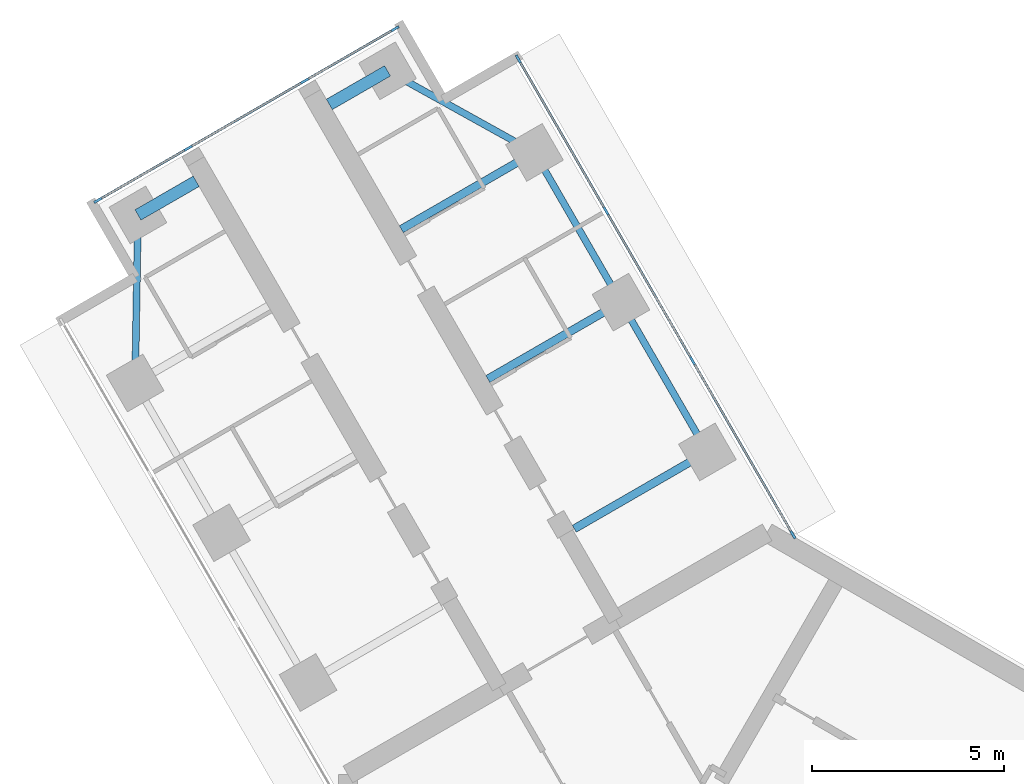
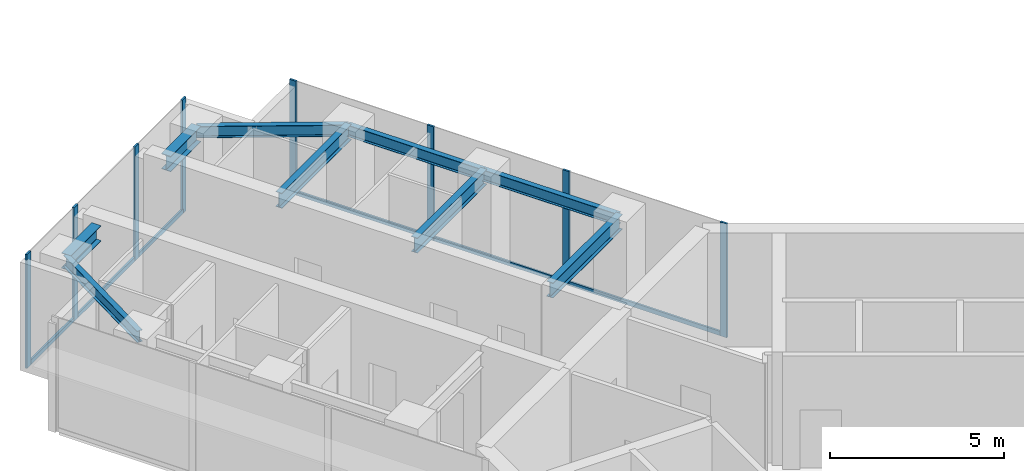
# One storey, part 6 of 18: 14 members, 9 beams, 2 elements without a shape of their own.
"""IFC4 building model written with IfcOpenShell, lengths in metres."""

from ifc_helpers import new_model, si_unit, direction, frame, origin, origin_2d, place, context, subcontext, project, spatial, rectangle, i_section, extrude, material, material_profile, profile_set, type_object, element, aggregate, save


model = new_model("IFC4")

# Units and contexts
model_context = context("Model", 3, precision=1e-05, world=origin(), true_north=direction((0.0, 1.0)))
body_context = subcontext(model_context, "Body", "Model", "MODEL_VIEW")
ifc_project = project(units=[si_unit("LENGTHUNIT", "METRE"), si_unit("AREAUNIT", "SQUARE_METRE"), si_unit("VOLUMEUNIT", "CUBIC_METRE"), si_unit("PLANEANGLEUNIT", "RADIAN"), si_unit("MASSUNIT", "GRAM", prefix="KILO")], contexts=[model_context])

# Site, building, storey
site_placement = place(None, origin())
site = spatial("IfcSite", under=ifc_project, at=site_placement, CompositionType="ELEMENT")
building_placement = place(site_placement, origin())
building = spatial("IfcBuilding", under=site, at=building_placement, Name="Upepo Twin Towers", CompositionType="ELEMENT")
storey_placement = place(building_placement, frame((0.0, 0.0, 226.5)))
storey = spatial("IfcBuildingStorey", under=building, at=storey_placement, Name="L55", CompositionType="ELEMENT", Elevation=226.5)

# Beams
ifc_material_1 = material(Name="Steel S355", Category="steel")
ifc_material_profile_1 = material_profile(ifc_material_1, i_section(OverallWidth=0.177978515625, OverallDepth=0.406494140625, WebThickness=0.0078125, FlangeThickness=0.0126953125, FilletRadius=0.01025390625, at=origin_2d()), Name="UB 406x178x60")
ifc_profile_set_1 = profile_set([ifc_material_profile_1], Name="Steel S355")
beam_type_1 = type_object("IfcBeamType", Name="Beam UB 406x178x60", PredefinedType="BEAM", material=ifc_profile_set_1)
beam_1_placement = place(storey_placement, frame((-16.446044921875, 16.485595703125, 3.5966796875), z_axis=(0.016803880528, 0.999858804832, 0.0), x_axis=(-0.999858804832, 0.016803880528, 0.0)))
element("IfcBeam", 1, at=beam_1_placement, inside=storey, type_object=beam_type_1, Name="T1 nose edge beam BL", PredefinedType="BEAM", context=body_context, shape_type="SweptSolid", body=[
    extrude(i_section(OverallWidth=0.177978515625, OverallDepth=0.406494140625, WebThickness=0.0078125, FlangeThickness=0.0126953125, FilletRadius=0.01025390625, at=origin_2d()), origin(), (0.0, 0.0, 1.0), 4.373291015625),
])
beam_2_placement = place(storey_placement, frame((-1.553955078125, 14.69140625, 3.5966796875), z_axis=(-0.500013631625, 0.866017533419, 0.0), x_axis=(-0.866017533419, -0.500013631625, 0.0)))
element("IfcBeam", 2, at=beam_2_placement, inside=storey, type_object=beam_type_1, Name="T1 edge beam BR 13.5-18.0", PredefinedType="BEAM", context=body_context, shape_type="SweptSolid", body=[
    extrude(i_section(OverallWidth=0.177978515625, OverallDepth=0.406494140625, WebThickness=0.0078125, FlangeThickness=0.0126953125, FilletRadius=0.01025390625, at=origin_2d()), origin(), (0.0, 0.0, 1.0), 4.499755859375),
])
beam_3_placement = place(storey_placement, frame((-3.803955078125, 18.58837890625, 3.5966796875), z_axis=(-0.499990139034, 0.866031096941, 0.0), x_axis=(-0.866031096941, -0.499990139034, 0.0)))
element("IfcBeam", 3, at=beam_3_placement, inside=storey, type_object=beam_type_1, Name="T1 edge beam BR 18.0-22.5", PredefinedType="BEAM", context=body_context, shape_type="SweptSolid", body=[
    extrude(i_section(OverallWidth=0.177978515625, OverallDepth=0.406494140625, WebThickness=0.0078125, FlangeThickness=0.0126953125, FilletRadius=0.01025390625, at=origin_2d()), origin(), (0.0, 0.0, 1.0), 4.5),
])
beam_4_placement = place(storey_placement, frame((-6.053955078125, 22.485595703125, 3.5966796875), z_axis=(-0.874312600038, 0.485363242752, 0.0), x_axis=(-0.485363242752, -0.874312600038, 0.0)))
element("IfcBeam", 4, at=beam_4_placement, inside=storey, type_object=beam_type_1, Name="T1 nose edge beam BR", PredefinedType="BEAM", context=body_context, shape_type="SweptSolid", body=[
    extrude(i_section(OverallWidth=0.177978515625, OverallDepth=0.406494140625, WebThickness=0.0078125, FlangeThickness=0.0126953125, FilletRadius=0.01025390625, at=origin_2d()), origin(), (0.0, 0.0, 1.0), 4.373046875),
])
ifc_material_2 = material(Name="Steel S355", Category="steel")
ifc_material_profile_2 = material_profile(ifc_material_2, i_section(OverallWidth=0.209228515625, OverallDepth=0.533203125, WebThickness=0.010009765625, FlangeThickness=0.015625, FilletRadius=0.0126953125, at=origin_2d()), Name="UB 533x210x92")
ifc_profile_set_2 = profile_set([ifc_material_profile_2], Name="Steel S355")
beam_type_2 = type_object("IfcBeamType", Name="Beam UB 533x210x92", PredefinedType="BEAM", material=ifc_profile_set_2)
for number, where, z_axis, x_axis, name in (
    (5, (-1.553955078125, 14.69140625, 3.533447265625), (-0.866026010844, -0.49999894854, 0.0), (0.49999894854, -0.866026010844, 0.0), "T1 girder BR at 13.5"),
    (6, (-3.803955078125, 18.58837890625, 3.533447265625), (-0.866026010844, -0.49999894854, 0.0), (0.49999894854, -0.866026010844, 0.0), "T1 girder BR at 18.0"),
    (7, (-6.053955078125, 22.485595703125, 3.533447265625), (-0.866026010844, -0.49999894854, 0.0), (0.49999894854, -0.866026010844, 0.0), "T1 girder BR at 22.5"),
):
    element("IfcBeam", number, at=place(storey_placement, frame(where, z_axis=z_axis, x_axis=x_axis)), inside=storey, type_object=beam_type_2, Name=name, PredefinedType="BEAM", context=body_context, shape_type="SweptSolid", body=[
        extrude(i_section(OverallWidth=0.209228515625, OverallDepth=0.533203125, WebThickness=0.010009765625, FlangeThickness=0.015625, FilletRadius=0.0126953125, at=origin_2d()), origin(), (0.0, 0.0, 1.0), 4.0),
    ])
ifc_material_3 = material(Name="Steel S355", Category="steel")
ifc_material_profile_3 = material_profile(ifc_material_3, i_section(OverallWidth=0.31201171875, OverallDepth=0.54345703125, WebThickness=0.0126953125, FlangeThickness=0.020263671875, FilletRadius=0.0126953125, at=origin_2d()), Name="UB 533x312x150")
ifc_profile_set_3 = profile_set([ifc_material_profile_3], Name="Steel S355")
beam_type_3 = type_object("IfcBeamType", Name="Beam UB 533x312x150", PredefinedType="BEAM", material=ifc_profile_set_3)
for number, where, z_axis, x_axis, name in (
    (8, (-16.37255859375, 20.858154296875, 3.5283203125), (0.866036909293, 0.499980071345, 0.0), (-0.499980071345, 0.866036909293, 0.0), "T1 nose beam BL"),
    (9, (-9.87744140625, 24.608154296875, 3.5283203125), (-0.866036909293, -0.499980071345, 0.0), (0.499980071345, -0.866036909293, 0.0), "T1 nose beam BR"),
):
    element("IfcBeam", number, at=place(storey_placement, frame(where, z_axis=z_axis, x_axis=x_axis)), inside=storey, type_object=beam_type_3, Name=name, PredefinedType="BEAM", context=body_context, shape_type="SweptSolid", body=[
        extrude(i_section(OverallWidth=0.31201171875, OverallDepth=0.54345703125, WebThickness=0.0126953125, FlangeThickness=0.020263671875, FilletRadius=0.0126953125, at=origin_2d()), origin(), (0.0, 0.0, 1.0), 1.75),
    ])

# Curtain wall, members
ifc_material_4 = material(Name="Aluminium and fritted glass", Category="aluminium")
curtain_wall_type = type_object("IfcCurtainWallType", Name="Tower curtain wall TW3, fritted glass", PredefinedType="NOTDEFINED", material=ifc_material_4)
curtain_wall_1_placement = place(storey_placement, origin())
curtain_wall_1 = element("IfcCurtainWall", 10, at=curtain_wall_1_placement, inside=storey, type_object=curtain_wall_type, Name="T1 L55 wing B flank R curtain wall", PredefinedType="NOTDEFINED")
ifc_material_5 = material(Name="Aluminium mullion", Category="aluminium")
ifc_material_profile_4 = material_profile(ifc_material_5, rectangle(XDim=0.06494140625, YDim=0.22509765625, at=origin_2d()), Name="MULLION 65x225")
ifc_profile_set_4 = profile_set([ifc_material_profile_4], Name="Aluminium mullion")
member_type_1 = type_object("IfcMemberType", Name="Mullion 65x225 TW3", PredefinedType="MULLION", material=ifc_profile_set_4)
member_1_placement = place(storey_placement, frame((-6.4765625, 24.91748046875, 0.0), z_axis=(0.0, 0.0, 1.0), x_axis=(0.866025388469, 0.500000026527, 0.0)))
member_1 = element("IfcMember", 11, at=member_1_placement, type_object=member_type_1, Name="T1 L55 wing B flank R curtain wall mullion 1", PredefinedType="MULLION", context=body_context, shape_type="SweptSolid", body=[
    extrude(rectangle(XDim=0.06494140625, YDim=0.22509765625, at=origin_2d()), origin(), (0.0, 0.0, 1.0), 4.0),
])
member_2_placement = place(storey_placement, frame((-4.192626953125, 20.9619140625, 0.0), z_axis=(0.0, 0.0, 1.0), x_axis=(0.866025388469, 0.500000026527, 0.0)))
member_2 = element("IfcMember", 12, at=member_2_placement, type_object=member_type_1, Name="T1 L55 wing B flank R curtain wall mullion 2", PredefinedType="MULLION", context=body_context, shape_type="SweptSolid", body=[
    extrude(rectangle(XDim=0.06494140625, YDim=0.22509765625, at=origin_2d()), origin(), (0.0, 0.0, 1.0), 4.0),
])
member_3_placement = place(storey_placement, frame((-1.942626953125, 17.06494140625, 0.0), z_axis=(0.0, 0.0, 1.0), x_axis=(0.866025388469, 0.500000026527, 0.0)))
member_3 = element("IfcMember", 13, at=member_3_placement, type_object=member_type_1, Name="T1 L55 wing B flank R curtain wall mullion 3", PredefinedType="MULLION", context=body_context, shape_type="SweptSolid", body=[
    extrude(rectangle(XDim=0.06494140625, YDim=0.22509765625, at=origin_2d()), origin(), (0.0, 0.0, 1.0), 4.0),
])
member_4_placement = place(storey_placement, frame((0.67236328125, 12.53515625, 0.0), z_axis=(0.0, 0.0, 1.0), x_axis=(0.866025388469, 0.500000026527, 0.0)))
member_4 = element("IfcMember", 14, at=member_4_placement, type_object=member_type_1, Name="T1 L55 wing B flank R curtain wall mullion 4", PredefinedType="MULLION", context=body_context, shape_type="SweptSolid", body=[
    extrude(rectangle(XDim=0.06494140625, YDim=0.22509765625, at=origin_2d()), origin(), (0.0, 0.0, 1.0), 4.0),
])

curtain_wall_2_placement = place(storey_placement, origin())
curtain_wall_2 = element("IfcCurtainWall", 15, at=curtain_wall_2_placement, inside=storey, type_object=curtain_wall_type, Name="T1 L55 wing B nose curtain wall", PredefinedType="NOTDEFINED")
member_5_placement = place(storey_placement, frame((-9.68115234375, 25.703125, 0.0), z_axis=(0.0, 0.0, 1.0), x_axis=(0.500000030502, -0.866025386174, 0.0)))
member_5 = element("IfcMember", 16, at=member_5_placement, type_object=member_type_1, Name="T1 L55 wing B nose curtain wall mullion 1", PredefinedType="MULLION", context=body_context, shape_type="SweptSolid", body=[
    extrude(rectangle(XDim=0.06494140625, YDim=0.22509765625, at=origin_2d()), origin(), (0.0, 0.0, 1.0), 4.0),
])
member_6_placement = place(storey_placement, frame((-12.034423828125, 24.34423828125, 0.0), z_axis=(0.0, 0.0, 1.0), x_axis=(0.500000030502, -0.866025386174, 0.0)))
member_6 = element("IfcMember", 17, at=member_6_placement, type_object=member_type_1, Name="T1 L55 wing B nose curtain wall mullion 2", PredefinedType="MULLION", context=body_context, shape_type="SweptSolid", body=[
    extrude(rectangle(XDim=0.06494140625, YDim=0.22509765625, at=origin_2d()), origin(), (0.0, 0.0, 1.0), 4.0),
])
member_7_placement = place(storey_placement, frame((-15.0654296875, 22.59423828125, 0.0), z_axis=(0.0, 0.0, 1.0), x_axis=(0.500000030502, -0.866025386174, 0.0)))
member_7 = element("IfcMember", 18, at=member_7_placement, type_object=member_type_1, Name="T1 L55 wing B nose curtain wall mullion 3", PredefinedType="MULLION", context=body_context, shape_type="SweptSolid", body=[
    extrude(rectangle(XDim=0.06494140625, YDim=0.22509765625, at=origin_2d()), origin(), (0.0, 0.0, 1.0), 4.0),
])
member_8_placement = place(storey_placement, frame((-17.4189453125, 21.235595703125, 0.0), z_axis=(0.0, 0.0, 1.0), x_axis=(0.500000030502, -0.866025386174, 0.0)))
member_8 = element("IfcMember", 19, at=member_8_placement, type_object=member_type_1, Name="T1 L55 wing B nose curtain wall mullion 4", PredefinedType="MULLION", context=body_context, shape_type="SweptSolid", body=[
    extrude(rectangle(XDim=0.06494140625, YDim=0.22509765625, at=origin_2d()), origin(), (0.0, 0.0, 1.0), 4.0),
])

# Member
ifc_material_6 = material(Name="Aluminium transom", Category="aluminium")
ifc_material_profile_5 = material_profile(ifc_material_6, rectangle(XDim=0.06494140625, YDim=0.14990234375, at=origin_2d()), Name="TRANSOM 65x150")
ifc_profile_set_5 = profile_set([ifc_material_profile_5], Name="Aluminium transom")
member_type_2 = type_object("IfcMemberType", Name="Transom 65x150 TW3", PredefinedType="USERDEFINED", material=ifc_profile_set_5)
member_9_placement = place(storey_placement, frame((-6.460205078125, 24.889404296875, 0.074951171875), z_axis=(0.500005646842, -0.866022143554, 0.0), x_axis=(0.866022143554, 0.500005646842, 0.0)))
member_9 = element("IfcMember", 20, at=member_9_placement, type_object=member_type_2, Name="T1 L55 wing B flank R curtain wall transom 1", ObjectType="TRANSOM", PredefinedType="USERDEFINED", context=body_context, shape_type="SweptSolid", body=[
    extrude(rectangle(XDim=0.06494140625, YDim=0.14990234375, at=origin_2d()), origin(), (0.0, 0.0, 1.0), 4.50244140625),
])

member_10_placement = place(storey_placement, frame((-4.176513671875, 20.933837890625, 0.074951171875), z_axis=(0.500005184116, -0.866022410713, 0.0), x_axis=(0.866022410713, 0.500005184116, 0.0)))
member_10 = element("IfcMember", 21, at=member_10_placement, type_object=member_type_2, Name="T1 L55 wing B flank R curtain wall transom 2", ObjectType="TRANSOM", PredefinedType="USERDEFINED", context=body_context, shape_type="SweptSolid", body=[
    extrude(rectangle(XDim=0.06494140625, YDim=0.14990234375, at=origin_2d()), origin(), (0.0, 0.0, 1.0), 4.43505859375),
])

member_11_placement = place(storey_placement, frame((-1.926513671875, 17.036865234375, 0.074951171875), z_axis=(0.500007480159, -0.86602108507, 0.0), x_axis=(0.86602108507, 0.500007480159, 0.0)))
member_11 = element("IfcMember", 22, at=member_11_placement, type_object=member_type_2, Name="T1 L55 wing B flank R curtain wall transom 3", ObjectType="TRANSOM", PredefinedType="USERDEFINED", context=body_context, shape_type="SweptSolid", body=[
    extrude(rectangle(XDim=0.06494140625, YDim=0.14990234375, at=origin_2d()), origin(), (0.0, 0.0, 1.0), 5.16552734375),
])

aggregate(curtain_wall_1, [member_1, member_2, member_3, member_4, member_9, member_10, member_11])

member_12_placement = place(storey_placement, frame((-9.709228515625, 25.686767578125, 0.074951171875), z_axis=(-0.866036909293, -0.499980071345, 0.0), x_axis=(0.499980071345, -0.866036909293, 0.0)))
member_12 = element("IfcMember", 23, at=member_12_placement, type_object=member_type_2, Name="T1 L55 wing B nose curtain wall transom 1", ObjectType="TRANSOM", PredefinedType="USERDEFINED", context=body_context, shape_type="SweptSolid", body=[
    extrude(rectangle(XDim=0.06494140625, YDim=0.14990234375, at=origin_2d()), origin(), (0.0, 0.0, 1.0), 2.65234375),
])

member_13_placement = place(storey_placement, frame((-12.0625, 24.328125, 0.074951171875), z_axis=(-0.866025804792, -0.499999305434, 0.0), x_axis=(0.499999305434, -0.866025804792, 0.0)))
member_13 = element("IfcMember", 24, at=member_13_placement, type_object=member_type_2, Name="T1 L55 wing B nose curtain wall transom 2", ObjectType="TRANSOM", PredefinedType="USERDEFINED", context=body_context, shape_type="SweptSolid", body=[
    extrude(rectangle(XDim=0.06494140625, YDim=0.14990234375, at=origin_2d()), origin(), (0.0, 0.0, 1.0), 3.43505859375),
])

member_14_placement = place(storey_placement, frame((-15.09375, 22.578125, 0.074951171875), z_axis=(-0.865997053448, -0.500049101008, 0.0), x_axis=(0.500049101008, -0.865997053448, 0.0)))
member_14 = element("IfcMember", 25, at=member_14_placement, type_object=member_type_2, Name="T1 L55 wing B nose curtain wall transom 3", ObjectType="TRANSOM", PredefinedType="USERDEFINED", context=body_context, shape_type="SweptSolid", body=[
    extrude(rectangle(XDim=0.06494140625, YDim=0.14990234375, at=origin_2d()), origin(), (0.0, 0.0, 1.0), 2.652587890625),
])

aggregate(curtain_wall_2, [member_5, member_6, member_7, member_8, member_12, member_13, member_14])

save(model, "model.ifc")
